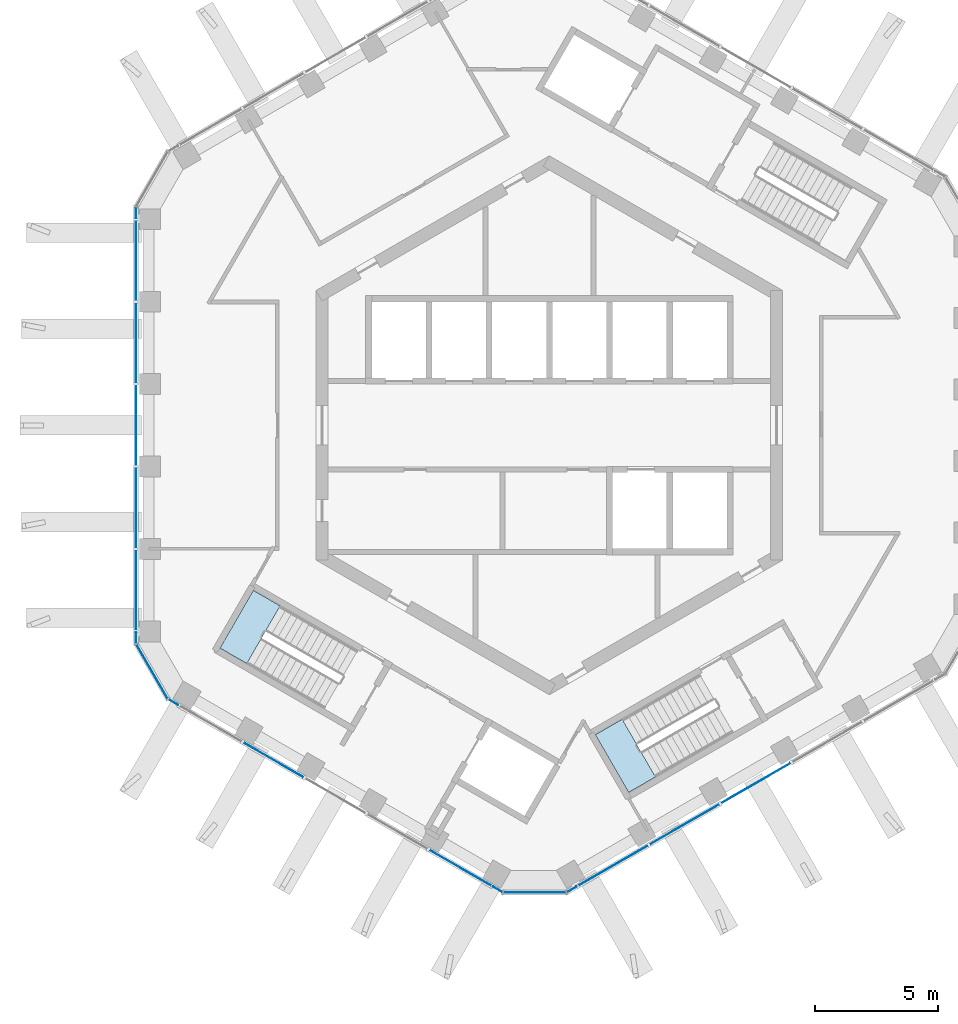
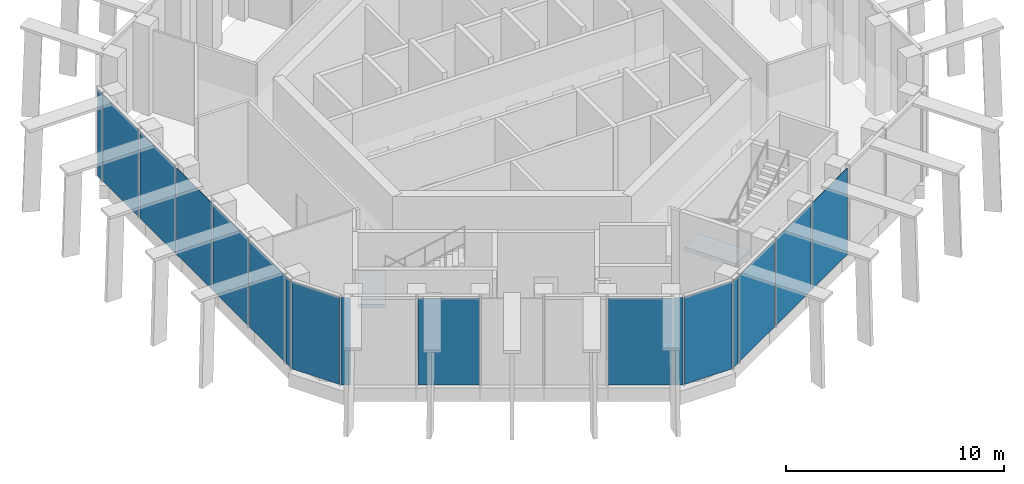
# One storey, part 7 of 17: 17 plates, 2 slabs, 8 elements without a shape of their own.
"""IFC4 building model written with IfcOpenShell, lengths in metres."""

from ifc_helpers import new_model, si_unit, direction, frame, origin, origin_2d, place, context, subcontext, project, spatial, polyline, rectangle, outline, extrude, material, layer, layer_set, type_object, element, aggregate, save


model = new_model("IFC4")

# Units and contexts
model_context = context("Model", 3, precision=1e-05, world=origin(), true_north=direction((0.0, 1.0)))
body_context = subcontext(model_context, "Body", "Model", "MODEL_VIEW")
ifc_project = project(units=[si_unit("LENGTHUNIT", "METRE"), si_unit("AREAUNIT", "SQUARE_METRE"), si_unit("VOLUMEUNIT", "CUBIC_METRE"), si_unit("PLANEANGLEUNIT", "RADIAN"), si_unit("MASSUNIT", "GRAM", prefix="KILO")], contexts=[model_context])

# Site, building, storey
site_placement = place(None, origin())
site = spatial("IfcSite", under=ifc_project, at=site_placement, CompositionType="ELEMENT")
building_placement = place(site_placement, origin())
building = spatial("IfcBuilding", under=site, at=building_placement, Name="Ayvan Gate Tower", CompositionType="ELEMENT")
storey_placement = place(building_placement, frame((0.0, 0.0, 252.89990234375)))
storey = spatial("IfcBuildingStorey", under=building, at=storey_placement, Name="L68", CompositionType="ELEMENT", Elevation=252.89990234375)

# Stair, slab
ifc_material_1 = material(Name="Concrete C40/50", Category="concrete")
stair_type = type_object("IfcStairType", Name="ST-EXIT", PredefinedType="HALF_TURN_STAIR", material=ifc_material_1)
stair_1_placement = place(storey_placement, origin())
stair_1 = element("IfcStair", 1, at=stair_1_placement, inside=storey, type_object=stair_type, Name="L68 Exit Stair S2", PredefinedType="HALF_TURN_STAIR")
ifc_layer_1 = layer(ifc_material_1, 0.199951171875)
ifc_layer_set_1 = layer_set([ifc_layer_1], Name="Concrete C40/50")
slab_type = type_object("IfcSlabType", Name="SL-LANDING-200", PredefinedType="LANDING", material=ifc_layer_set_1)
slab_1_placement = place(storey_placement, frame((0.0, 0.0, 2.300048828125)))
slab_1 = element("IfcSlab", 2, at=slab_1_placement, type_object=slab_type, Name="STS2 landing 1", PredefinedType="LANDING", context=body_context, shape_type="SweptSolid", body=[
    extrude(outline(polyline([(-10.95849609375, -7.3505859375), (-12.049560546875, -6.720458984375), (-13.404541015625, -9.0673828125), (-12.3134765625, -9.697509765625), (-10.95849609375, -7.3505859375)])), origin(), (0.0, 0.0, 1.0), 0.199951171875),
])
aggregate(stair_1, [slab_1])

stair_2_placement = place(storey_placement, origin())
stair_2 = element("IfcStair", 3, at=stair_2_placement, inside=storey, type_object=stair_type, Name="L68 Exit Stair S3", PredefinedType="HALF_TURN_STAIR")
slab_2_placement = place(storey_placement, frame((0.0, 0.0, 2.300048828125)))
slab_2 = element("IfcSlab", 4, at=slab_2_placement, type_object=slab_type, Name="STS3 landing 1", PredefinedType="LANDING", context=body_context, shape_type="SweptSolid", body=[
    extrude(outline(polyline([(2.965087890625, -11.965576171875), (1.873779296875, -12.595458984375), (3.228759765625, -14.9423828125), (4.320068359375, -14.3125), (2.965087890625, -11.965576171875)])), origin(), (0.0, 0.0, 1.0), 0.199951171875),
])
aggregate(stair_2, [slab_2])

# Curtain wall, plates
ifc_material_2 = material(Name="Bronze anodised aluminium", Category="aluminium")
ifc_layer_2 = layer(ifc_material_2, 0.199951171875)
ifc_layer_set_2 = layer_set([ifc_layer_2], Name="Bronze anodised aluminium")
curtain_wall_type_1 = type_object("IfcCurtainWallType", Name="Stick curtain wall CW-5", PredefinedType="NOTDEFINED", material=ifc_layer_set_2)
curtain_wall_1_placement = place(storey_placement, origin())
curtain_wall_1 = element("IfcCurtainWall", 5, at=curtain_wall_1_placement, inside=storey, type_object=curtain_wall_type_1, Name="Stick curtain wall CW-5 L68", PredefinedType="NOTDEFINED")
ifc_material_3 = material(Name="Clear low-iron laminated glass", Category="glass")
ifc_layer_3 = layer(ifc_material_3, 0.028076171875)
ifc_layer_set_3 = layer_set([ifc_layer_3], Name="Clear low-iron laminated glass")
plate_type_1 = type_object("IfcPlateType", Name="Stick curtain wall CW-5 glass panel", PredefinedType="CURTAIN_PANEL", material=ifc_layer_set_3)
plate_1_placement = place(storey_placement, frame((-16.819091796875, 6.730712890625, 0.0), z_axis=(0.0, 0.0, 1.0), x_axis=(0.0, -1.0, 0.0)))
plate_1 = element("IfcPlate", 6, at=plate_1_placement, type_object=plate_type_1, Name="CW-5 glass panel 1", PredefinedType="CURTAIN_PANEL", context=body_context, shape_type="SweptSolid", body=[
    extrude(rectangle(XDim=3.30810546875, YDim=0.028076171875, at=origin_2d()), origin(), (0.0, 0.0, 1.0), 4.85009765625),
])
plate_2_placement = place(storey_placement, frame((-16.819091796875, 3.354248046875, 0.0), z_axis=(0.0, 0.0, 1.0), x_axis=(0.0, -1.0, 0.0)))
plate_2 = element("IfcPlate", 7, at=plate_2_placement, type_object=plate_type_1, Name="CW-5 glass panel 2", PredefinedType="CURTAIN_PANEL", context=body_context, shape_type="SweptSolid", body=[
    extrude(rectangle(XDim=3.264892578125, YDim=0.028076171875, at=origin_2d()), origin(), (0.0, 0.0, 1.0), 4.85009765625),
])
plate_3_placement = place(storey_placement, frame((-16.819091796875, -0.000244140625, 0.0), z_axis=(0.0, 0.0, 1.0), x_axis=(0.0, -1.0, 0.0)))
plate_3 = element("IfcPlate", 8, at=plate_3_placement, type_object=plate_type_1, Name="CW-5 glass panel 3", PredefinedType="CURTAIN_PANEL", context=body_context, shape_type="SweptSolid", body=[
    extrude(rectangle(XDim=3.263916015625, YDim=0.028076171875, at=origin_2d()), origin(), (0.0, 0.0, 1.0), 4.85009765625),
])
plate_4_placement = place(storey_placement, frame((-16.819091796875, -3.354248046875, 0.0), z_axis=(0.0, 0.0, 1.0), x_axis=(0.0, -1.0, 0.0)))
plate_4 = element("IfcPlate", 9, at=plate_4_placement, type_object=plate_type_1, Name="CW-5 glass panel 4", PredefinedType="CURTAIN_PANEL", context=body_context, shape_type="SweptSolid", body=[
    extrude(rectangle(XDim=3.263916015625, YDim=0.028076171875, at=origin_2d()), origin(), (0.0, 0.0, 1.0), 4.85009765625),
])
plate_5_placement = place(storey_placement, frame((-16.819091796875, -6.73046875, 0.0), z_axis=(0.0, 0.0, 1.0), x_axis=(0.0, -1.0, 0.0)))
plate_5 = element("IfcPlate", 10, at=plate_5_placement, type_object=plate_type_1, Name="CW-5 glass panel 5", PredefinedType="CURTAIN_PANEL", context=body_context, shape_type="SweptSolid", body=[
    extrude(rectangle(XDim=3.308349609375, YDim=0.028076171875, at=origin_2d()), origin(), (0.0, 0.0, 1.0), 4.85009765625),
])
aggregate(curtain_wall_1, [plate_1, plate_2, plate_3, plate_4, plate_5])

curtain_wall_2_placement = place(storey_placement, origin())
curtain_wall_2 = element("IfcCurtainWall", 11, at=curtain_wall_2_placement, inside=storey, type_object=curtain_wall_type_1, Name="Stick curtain wall CW-5 L68", PredefinedType="NOTDEFINED")
plate_6_placement = place(storey_placement, frame((-11.229248046875, -13.623046875, 0.0), z_axis=(0.0, 0.0, 1.0), x_axis=(0.866025403784, -0.5, 0.0)))
plate_6 = element("IfcPlate", 12, at=plate_6_placement, type_object=plate_type_1, Name="CW-5 glass panel 2", PredefinedType="CURTAIN_PANEL", context=body_context, shape_type="SweptSolid", body=[
    extrude(rectangle(XDim=2.822998046875, YDim=0.028076171875, at=origin_2d()), origin(), (0.0, 0.0, 1.0), 4.85009765625),
])
plate_7_placement = place(storey_placement, frame((-3.609375, -18.0224609375, 0.0), z_axis=(0.0, 0.0, 1.0), x_axis=(0.866025403784, -0.5, 0.0)))
plate_7 = element("IfcPlate", 13, at=plate_7_placement, type_object=plate_type_1, Name="CW-5 glass panel 5", PredefinedType="CURTAIN_PANEL", context=body_context, shape_type="SweptSolid", body=[
    extrude(rectangle(XDim=2.942626953125, YDim=0.028076171875, at=origin_2d()), origin(), (0.0, 0.0, 1.0), 4.85009765625),
])
aggregate(curtain_wall_2, [plate_6, plate_7])

curtain_wall_3_placement = place(storey_placement, origin())
curtain_wall_3 = element("IfcCurtainWall", 14, at=curtain_wall_3_placement, inside=storey, type_object=curtain_wall_type_1, Name="Stick curtain wall CW-5 L68", PredefinedType="NOTDEFINED")
plate_8_placement = place(storey_placement, frame((2.58056640625, -17.93115234375, 0.0), z_axis=(0.0, 0.0, 1.0), x_axis=(0.866025403784, 0.5, 0.0)))
plate_8 = element("IfcPlate", 15, at=plate_8_placement, type_object=plate_type_1, Name="CW-5 glass panel 1", PredefinedType="CURTAIN_PANEL", context=body_context, shape_type="SweptSolid", body=[
    extrude(rectangle(XDim=3.30810546875, YDim=0.028076171875, at=origin_2d()), origin(), (0.0, 0.0, 1.0), 4.85009765625),
])
plate_9_placement = place(storey_placement, frame((5.504638671875, -16.242919921875, 0.0), z_axis=(0.0, 0.0, 1.0), x_axis=(0.866025403784, 0.5, 0.0)))
plate_9 = element("IfcPlate", 16, at=plate_9_placement, type_object=plate_type_1, Name="CW-5 glass panel 2", PredefinedType="CURTAIN_PANEL", context=body_context, shape_type="SweptSolid", body=[
    extrude(rectangle(XDim=3.264892578125, YDim=0.028076171875, at=origin_2d()), origin(), (0.0, 0.0, 1.0), 4.85009765625),
])
plate_10_placement = place(storey_placement, frame((8.40966796875, -14.565673828125, 0.0), z_axis=(0.0, 0.0, 1.0), x_axis=(0.866025403784, 0.5, 0.0)))
plate_10 = element("IfcPlate", 17, at=plate_10_placement, type_object=plate_type_1, Name="CW-5 glass panel 3", PredefinedType="CURTAIN_PANEL", context=body_context, shape_type="SweptSolid", body=[
    extrude(rectangle(XDim=3.263916015625, YDim=0.028076171875, at=origin_2d()), origin(), (0.0, 0.0, 1.0), 4.85009765625),
])
aggregate(curtain_wall_3, [plate_8, plate_9, plate_10])

# Curtain wall, plate
ifc_layer_4 = layer(ifc_material_2, 0.199951171875)
ifc_layer_set_4 = layer_set([ifc_layer_4], Name="Bronze anodised aluminium")
curtain_wall_type_2 = type_object("IfcCurtainWallType", Name="Stick curtain wall CW-6", PredefinedType="NOTDEFINED", material=ifc_layer_set_4)
curtain_wall_4_placement = place(storey_placement, origin())
curtain_wall_4 = element("IfcCurtainWall", 18, at=curtain_wall_4_placement, inside=storey, type_object=curtain_wall_type_2, Name="Stick curtain wall CW-6 L68", PredefinedType="NOTDEFINED")
ifc_layer_5 = layer(ifc_material_3, 0.028076171875)
ifc_layer_set_5 = layer_set([ifc_layer_5], Name="Clear low-iron laminated glass")
plate_type_2 = type_object("IfcPlateType", Name="Stick curtain wall CW-6 glass panel", PredefinedType="CURTAIN_PANEL", material=ifc_layer_set_5)
plate_11_placement = place(storey_placement, frame((-16.819091796875, 8.65478515625, 0.000244140625), z_axis=(0.0, 0.0, 1.0), x_axis=(0.0, -1.0, 0.0)))
plate_11 = element("IfcPlate", 19, at=plate_11_placement, type_object=plate_type_2, Name="CW-6 glass panel 3", PredefinedType="CURTAIN_PANEL", context=body_context, shape_type="SweptSolid", body=[
    extrude(rectangle(XDim=0.449951171875, YDim=0.028076171875, at=origin_2d()), origin(), (0.0, 0.0, 1.0), 4.8798828125),
])
aggregate(curtain_wall_4, [plate_11])

# Curtain wall, plates
curtain_wall_5_placement = place(storey_placement, origin())
curtain_wall_5 = element("IfcCurtainWall", 20, at=curtain_wall_5_placement, inside=storey, type_object=curtain_wall_type_2, Name="Stick curtain wall CW-6 L68", PredefinedType="NOTDEFINED")
plate_12_placement = place(storey_placement, frame((-16.819091796875, -8.65478515625, 0.000244140625), z_axis=(0.0, 0.0, 1.0), x_axis=(0.0, -1.0, 0.0)))
plate_12 = element("IfcPlate", 21, at=plate_12_placement, type_object=plate_type_2, Name="CW-6 glass panel 1", PredefinedType="CURTAIN_PANEL", context=body_context, shape_type="SweptSolid", body=[
    extrude(rectangle(XDim=0.449951171875, YDim=0.028076171875, at=origin_2d()), origin(), (0.0, 0.0, 1.0), 4.8798828125),
])
plate_13_placement = place(storey_placement, frame((-16.17333984375, -10.02294921875, 0.000244140625), z_axis=(0.0, 0.0, 1.0), x_axis=(0.5, -0.866025403784, 0.0)))
plate_13 = element("IfcPlate", 22, at=plate_13_placement, type_object=plate_type_2, Name="CW-6 glass panel 2", PredefinedType="CURTAIN_PANEL", context=body_context, shape_type="SweptSolid", body=[
    extrude(rectangle(XDim=2.532470703125, YDim=0.028076171875, at=origin_2d()), origin(), (0.0, 0.0, 1.0), 4.8798828125),
])
plate_14_placement = place(storey_placement, frame((-15.311279296875, -11.266357421875, 0.000244140625), z_axis=(0.0, 0.0, 1.0), x_axis=(0.866025403784, -0.5, 0.0)))
plate_14 = element("IfcPlate", 23, at=plate_14_placement, type_object=plate_type_2, Name="CW-6 glass panel 3", PredefinedType="CURTAIN_PANEL", context=body_context, shape_type="SweptSolid", body=[
    extrude(rectangle(XDim=0.449951171875, YDim=0.028076171875, at=origin_2d()), origin(), (0.0, 0.0, 1.0), 4.8798828125),
])
aggregate(curtain_wall_5, [plate_12, plate_13, plate_14])

curtain_wall_6_placement = place(storey_placement, origin())
curtain_wall_6 = element("IfcCurtainWall", 24, at=curtain_wall_6_placement, inside=storey, type_object=curtain_wall_type_2, Name="Stick curtain wall CW-6 L68", PredefinedType="NOTDEFINED")
plate_15_placement = place(storey_placement, frame((-2.101318359375, -18.89306640625, 0.000244140625), z_axis=(0.0, 0.0, 1.0), x_axis=(0.866025403784, -0.5, 0.0)))
plate_15 = element("IfcPlate", 25, at=plate_15_placement, type_object=plate_type_2, Name="CW-6 glass panel 1", PredefinedType="CURTAIN_PANEL", context=body_context, shape_type="SweptSolid", body=[
    extrude(rectangle(XDim=0.449951171875, YDim=0.028076171875, at=origin_2d()), origin(), (0.0, 0.0, 1.0), 4.8798828125),
])
plate_16_placement = place(storey_placement, frame((-0.593505859375, -19.01806640625, 0.000244140625), z_axis=(0.0, 0.0, 1.0), x_axis=(1.0, 0.0, 0.0)))
plate_16 = element("IfcPlate", 26, at=plate_16_placement, type_object=plate_type_2, Name="CW-6 glass panel 2", PredefinedType="CURTAIN_PANEL", context=body_context, shape_type="SweptSolid", body=[
    extrude(rectangle(XDim=2.532470703125, YDim=0.028076171875, at=origin_2d()), origin(), (0.0, 0.0, 1.0), 4.8798828125),
])
plate_17_placement = place(storey_placement, frame((0.914306640625, -18.89306640625, 0.000244140625), z_axis=(0.0, 0.0, 1.0), x_axis=(0.866025403784, 0.5, 0.0)))
plate_17 = element("IfcPlate", 27, at=plate_17_placement, type_object=plate_type_2, Name="CW-6 glass panel 3", PredefinedType="CURTAIN_PANEL", context=body_context, shape_type="SweptSolid", body=[
    extrude(rectangle(XDim=0.449951171875, YDim=0.028076171875, at=origin_2d()), origin(), (0.0, 0.0, 1.0), 4.8798828125),
])
aggregate(curtain_wall_6, [plate_15, plate_16, plate_17])

save(model, "model.ifc")
